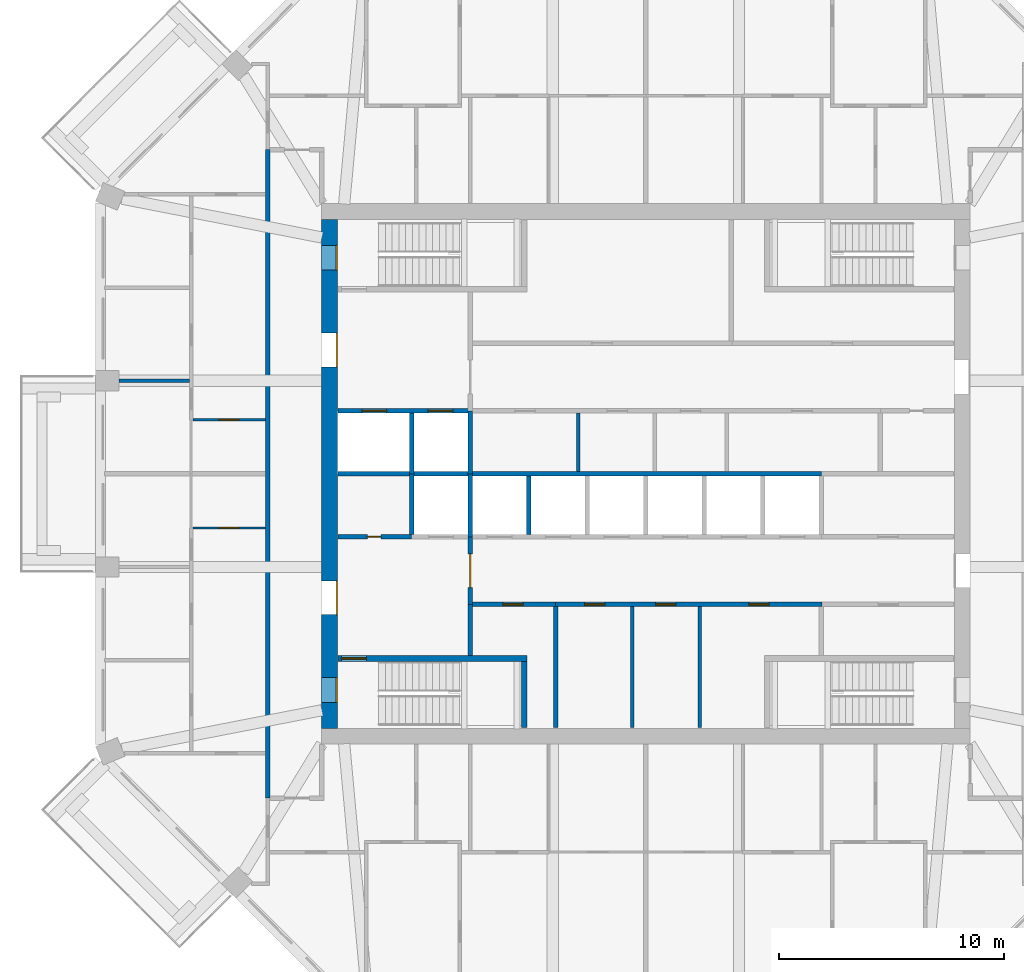
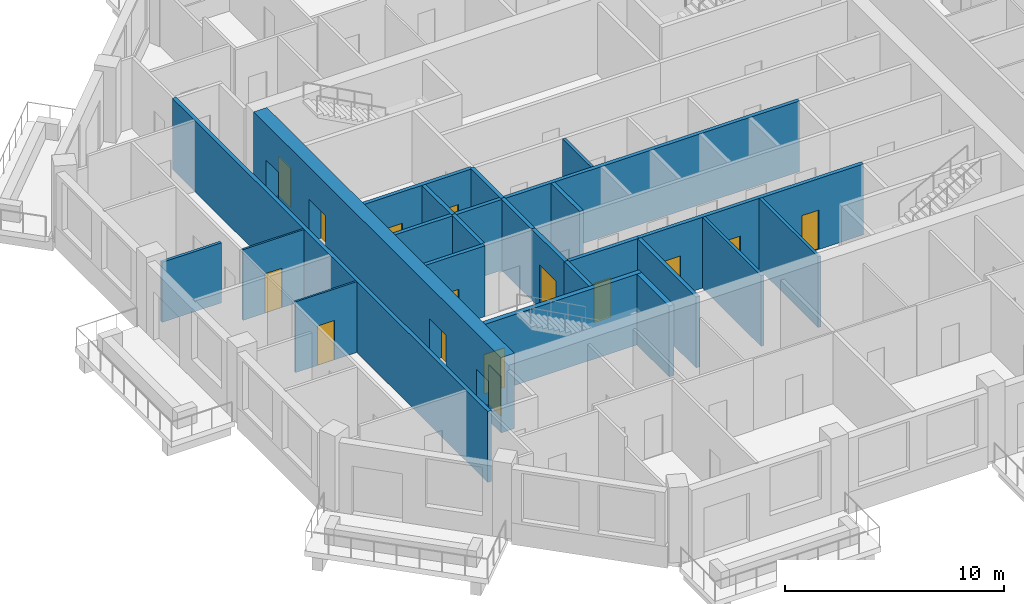
# One storey, part 4 of 12: 23 walls, 15 doors, 15 openings.
"""IFC4 building model written with IfcOpenShell, lengths in metres."""

from ifc_helpers import new_model, si_unit, direction, frame, frame_2d, origin, place, context, subcontext, project, spatial, rectangle, extrude, material, layer, layer_set, type_object, element, fill, save


model = new_model("IFC4")

# Units and contexts
model_context = context("Model", 3, precision=1e-05, world=origin(), true_north=direction((0.0, 1.0)))
body_context = subcontext(model_context, "Body", "Model", "MODEL_VIEW")
ifc_project = project(units=[si_unit("LENGTHUNIT", "METRE"), si_unit("AREAUNIT", "SQUARE_METRE"), si_unit("VOLUMEUNIT", "CUBIC_METRE"), si_unit("PLANEANGLEUNIT", "RADIAN"), si_unit("MASSUNIT", "GRAM", prefix="KILO")], contexts=[model_context])

# Site, building, storey
site_placement = place(None, origin())
site = spatial("IfcSite", under=ifc_project, at=site_placement, CompositionType="ELEMENT")
building_placement = place(site_placement, origin())
building = spatial("IfcBuilding", under=site, at=building_placement, Name="Msitu Wima Residences", CompositionType="ELEMENT")
storey_placement = place(building_placement, frame((0.0, 0.0, 174.89990234375)))
storey = spatial("IfcBuildingStorey", under=building, at=storey_placement, Name="L40", CompositionType="ELEMENT", Elevation=174.89990234375)

# Wall, openings, doors
ifc_material_1 = material(Name="Concrete C60/75", Category="concrete")
ifc_layer_1 = layer(ifc_material_1, 0.699951171875)
ifc_layer_set_1 = layer_set([ifc_layer_1], Name="Concrete C60/75")
wall_type_1 = type_object("IfcWallType", Name="Core wall CW700 C60/75", PredefinedType="SHEAR", material=ifc_layer_set_1)
wall_1_placement = place(storey_placement, frame((-14.050048828125, -11.300048828125, 0.0), z_axis=(0.0, 0.0, 1.0), x_axis=(0.0, 1.0, 0.0)))
wall_1 = element("IfcWall", 1, at=wall_1_placement, inside=storey, type_object=wall_type_1, Name="Core wall", PredefinedType="SHEAR", context=body_context, shape_type="SweptSolid", body=[
    extrude(rectangle(XDim=22.60009765625, YDim=0.699951171875, at=frame_2d((11.300048828125, 0.0))), origin(), (0.0, 0.0, 1.0), 4.2001953125),
])
opening_1_placement = place(wall_1_placement, frame((20.35009765625, 0.0, 0.0)))
opening_1 = element("IfcOpeningElement", 2, at=opening_1_placement, cuts=wall_1, Name="Opening D40-42.087", PredefinedType="OPENING", context=body_context, shape_type="SweptSolid", body=[
    extrude(rectangle(XDim=1.10009765625, YDim=2.199951171875, at=frame_2d((0.550048828125, 1.10009765625))), frame((0.0, 0.35986328125, 0.0), z_axis=(0.0, -1.0, 0.0), x_axis=(1.0, 0.0, 0.0)), (0.0, 0.0, 1.0), 0.719970703125),
])
opening_2_placement = place(wall_1_placement, frame((1.14990234375, 0.0, 0.0)))
opening_2 = element("IfcOpeningElement", 3, at=opening_2_placement, cuts=wall_1, Name="Opening D40-42.089", PredefinedType="OPENING", context=body_context, shape_type="SweptSolid", body=[
    extrude(rectangle(XDim=1.10009765625, YDim=2.199951171875, at=frame_2d((0.550048828125, 1.10009765625))), frame((0.0, 0.35986328125, 0.0), z_axis=(0.0, -1.0, 0.0), x_axis=(1.0, 0.0, 0.0)), (0.0, 0.0, 1.0), 0.719970703125),
])
opening_3_placement = place(wall_1_placement, frame((16.050048828125, 0.0, 0.0)))
opening_3 = element("IfcOpeningElement", 4, at=opening_3_placement, cuts=wall_1, Name="Opening D40-42.068", PredefinedType="OPENING", context=body_context, shape_type="SweptSolid", body=[
    extrude(rectangle(XDim=1.5, YDim=2.39990234375, at=frame_2d((0.75, 1.199951171875))), frame((0.0, 0.35986328125, 0.0), z_axis=(0.0, -1.0, 0.0), x_axis=(1.0, 0.0, 0.0)), (0.0, 0.0, 1.0), 0.719970703125),
])
opening_4_placement = place(wall_1_placement, frame((5.050048828125, 0.0, 0.0)))
opening_4 = element("IfcOpeningElement", 5, at=opening_4_placement, cuts=wall_1, Name="Opening D40-42.070", PredefinedType="OPENING", context=body_context, shape_type="SweptSolid", body=[
    extrude(rectangle(XDim=1.5, YDim=2.39990234375, at=frame_2d((0.75, 1.199951171875))), frame((0.0, 0.35986328125, 0.0), z_axis=(0.0, -1.0, 0.0), x_axis=(1.0, 0.0, 0.0)), (0.0, 0.0, 1.0), 0.719970703125),
])
ifc_material_2 = material(Name="Steel framed glazed door, fire resisting", Category="steel")
door_type_1 = type_object("IfcDoorType", Name="Lobby door D07 1500x2400", OperationType="DOUBLE_DOOR_SINGLE_SWING", PredefinedType="DOOR", material=ifc_material_2)
door_1_placement = place(opening_3_placement, origin())
door_1 = element("IfcDoor", 6, at=door_1_placement, inside=storey, type_object=door_type_1, Name="Lobby door", OperationType="DOUBLE_DOOR_SINGLE_SWING", OverallHeight=2.39990234375, OverallWidth=1.5, PredefinedType="DOOR", context=body_context, shape_type="SweptSolid", body=[
    extrude(rectangle(XDim=1.5, YDim=2.39990234375, at=frame_2d((0.75, 1.199951171875))), frame((0.0, -0.294921875, 0.0), z_axis=(0.0, -1.0, 0.0), x_axis=(1.0, 0.0, 0.0)), (0.0, 0.0, 1.0), 0.050048828125),
])
fill(opening_3, door_1)
door_2_placement = place(opening_4_placement, origin())
door_2 = element("IfcDoor", 7, at=door_2_placement, inside=storey, type_object=door_type_1, Name="Lobby door", OperationType="DOUBLE_DOOR_SINGLE_SWING", OverallHeight=2.39990234375, OverallWidth=1.5, PredefinedType="DOOR", context=body_context, shape_type="SweptSolid", body=[
    extrude(rectangle(XDim=1.5, YDim=2.39990234375, at=frame_2d((0.75, 1.199951171875))), frame((0.0, -0.294921875, 0.0), z_axis=(0.0, -1.0, 0.0), x_axis=(1.0, 0.0, 0.0)), (0.0, 0.0, 1.0), 0.050048828125),
])
fill(opening_4, door_2)
ifc_material_3 = material(Name="Steel door, fire resisting, panic bar", Category="steel")
door_type_2 = type_object("IfcDoorType", Name="Stair door D06 1100x2200", OperationType="SINGLE_SWING_LEFT", PredefinedType="DOOR", material=ifc_material_3)
door_3_placement = place(opening_1_placement, origin())
door_3 = element("IfcDoor", 8, at=door_3_placement, inside=storey, type_object=door_type_2, Name="Stair door", OperationType="SINGLE_SWING_RIGHT", OverallHeight=2.199951171875, OverallWidth=1.10009765625, PredefinedType="DOOR", context=body_context, shape_type="SweptSolid", body=[
    extrude(rectangle(XDim=1.10009765625, YDim=2.199951171875, at=frame_2d((0.550048828125, 1.10009765625))), frame((0.0, -0.294921875, 0.0), z_axis=(0.0, -1.0, 0.0), x_axis=(1.0, 0.0, 0.0)), (0.0, 0.0, 1.0), 0.050048828125),
])
fill(opening_1, door_3)
door_4_placement = place(opening_2_placement, origin())
door_4 = element("IfcDoor", 9, at=door_4_placement, inside=storey, type_object=door_type_2, Name="Stair door", OperationType="SINGLE_SWING_LEFT", OverallHeight=2.199951171875, OverallWidth=1.10009765625, PredefinedType="DOOR", context=body_context, shape_type="SweptSolid", body=[
    extrude(rectangle(XDim=1.10009765625, YDim=2.199951171875, at=frame_2d((0.550048828125, 1.10009765625))), frame((0.0, -0.294921875, 0.0), z_axis=(0.0, -1.0, 0.0), x_axis=(1.0, 0.0, 0.0)), (0.0, 0.0, 1.0), 0.050048828125),
])
fill(opening_2, door_4)

# Wall
ifc_material_4 = material(Name="Plaster")
ifc_layer_2 = layer(ifc_material_4, 0.011962890625, Name="Plaster")
ifc_material_5 = material(Name="Concrete blockwork", Category="masonry")
ifc_layer_3 = layer(ifc_material_5, 0.176025390625, Name="Concrete blockwork")
ifc_layer_4 = layer(ifc_material_4, 0.011962890625, Name="Plaster")
ifc_layer_set_2 = layer_set([ifc_layer_2, ifc_layer_3, ifc_layer_4], Name="Concrete blockwork")
wall_type_2 = type_object("IfcWallType", Name="Corridor wall FW200", PredefinedType="PARTITIONING", material=ifc_layer_set_2)
wall_2_placement = place(storey_placement, frame((-16.800048828125, -14.39990234375, 0.0), z_axis=(0.0, 0.0, 1.0), x_axis=(0.0, 1.0, 0.0)))
element("IfcWall", 10, at=wall_2_placement, inside=storey, type_object=wall_type_2, Name="Corridor wall", PredefinedType="PARTITIONING", context=body_context, shape_type="SweptSolid", body=[
    extrude(rectangle(XDim=28.7998046875, YDim=0.199951171875, at=frame_2d((14.39990234375, 0.0))), origin(), (0.0, 0.0, 1.0), 3.9501953125),
])

# Wall, opening, door
wall_3_placement = place(storey_placement, frame((-7.800048828125, -5.800048828125, 0.0), z_axis=(0.0, 0.0, 1.0), x_axis=(0.0, 1.0, 0.0)))
wall_3 = element("IfcWall", 11, at=wall_3_placement, inside=storey, type_object=wall_type_2, Name="Corridor wall", PredefinedType="PARTITIONING", context=body_context, shape_type="SweptSolid", body=[
    extrude(rectangle(XDim=3.0, YDim=0.199951171875, at=frame_2d((1.5, 0.0))), origin(), (0.0, 0.0, 1.0), 3.9501953125),
])
opening_5_placement = place(wall_3_placement, frame((0.75, 0.0, 0.0)))
opening_5 = element("IfcOpeningElement", 12, at=opening_5_placement, cuts=wall_3, Name="Opening D40-42.071", PredefinedType="OPENING", context=body_context, shape_type="SweptSolid", body=[
    extrude(rectangle(XDim=1.5, YDim=2.39990234375, at=frame_2d((0.75, 1.199951171875))), frame((0.0, 0.10986328125, 0.0), z_axis=(0.0, -1.0, 0.0), x_axis=(1.0, 0.0, 0.0)), (0.0, 0.0, 1.0), 0.219970703125),
])
door_5_placement = place(opening_5_placement, origin())
door_5 = element("IfcDoor", 13, at=door_5_placement, inside=storey, type_object=door_type_1, Name="Lobby door", OperationType="DOUBLE_DOOR_SINGLE_SWING", OverallHeight=2.39990234375, OverallWidth=1.5, PredefinedType="DOOR", context=body_context, shape_type="SweptSolid", body=[
    extrude(rectangle(XDim=1.5, YDim=2.39990234375, at=frame_2d((0.75, 1.199951171875))), frame((0.0, 0.02490234375, 0.0), z_axis=(0.0, -1.0, 0.0), x_axis=(1.0, 0.0, 0.0)), (0.0, 0.0, 1.0), 0.050048828125),
])
fill(opening_5, door_5)

# Wall, openings, doors
wall_4_placement = place(storey_placement, frame((-4.02001953125, -5.800048828125, 0.0), z_axis=(0.0, 0.0, 1.0), x_axis=(1.0, 0.0, 0.0)))
wall_4 = element("IfcWall", 14, at=wall_4_placement, inside=storey, type_object=wall_type_2, Name="Corridor wall", PredefinedType="PARTITIONING", context=body_context, shape_type="SweptSolid", body=[
    extrude(rectangle(XDim=11.840087890625, YDim=0.199951171875, at=frame_2d((5.919921875, 0.0))), origin(), (0.0, 0.0, 1.0), 3.9501953125),
])
opening_6_placement = place(wall_4_placement, frame((1.300048828125, 0.0, 0.0)))
opening_6 = element("IfcOpeningElement", 15, at=opening_6_placement, cuts=wall_4, Name="Opening D40-42.075", PredefinedType="OPENING", context=body_context, shape_type="SweptSolid", body=[
    extrude(rectangle(XDim=0.89990234375, YDim=2.199951171875, at=frame_2d((0.449951171875, 1.10009765625))), frame((0.0, 0.10986328125, 0.0), z_axis=(0.0, -1.0, 0.0), x_axis=(1.0, 0.0, 0.0)), (0.0, 0.0, 1.0), 0.219970703125),
])
opening_7_placement = place(wall_4_placement, frame((4.449951171875, 0.0, 0.0)))
opening_7 = element("IfcOpeningElement", 16, at=opening_7_placement, cuts=wall_4, Name="Opening D40-42.076", PredefinedType="OPENING", context=body_context, shape_type="SweptSolid", body=[
    extrude(rectangle(XDim=0.89990234375, YDim=2.199951171875, at=frame_2d((0.449951171875, 1.10009765625))), frame((0.0, 0.10986328125, 0.0), z_axis=(0.0, -1.0, 0.0), x_axis=(1.0, 0.0, 0.0)), (0.0, 0.0, 1.0), 0.219970703125),
])
opening_8_placement = place(wall_4_placement, frame((8.60009765625, 0.0, 0.0)))
opening_8 = element("IfcOpeningElement", 17, at=opening_8_placement, cuts=wall_4, Name="Opening D40-42.077", PredefinedType="OPENING", context=body_context, shape_type="SweptSolid", body=[
    extrude(rectangle(XDim=0.89990234375, YDim=2.199951171875, at=frame_2d((0.449951171875, 1.10009765625))), frame((0.0, 0.10986328125, 0.0), z_axis=(0.0, -1.0, 0.0), x_axis=(1.0, 0.0, 0.0)), (0.0, 0.0, 1.0), 0.219970703125),
])
ifc_material_6 = material(Name="Timber flush door", Category="wood")
door_type_3 = type_object("IfcDoorType", Name="Service door D05 900x2200", OperationType="SINGLE_SWING_LEFT", PredefinedType="DOOR", material=ifc_material_6)
door_6_placement = place(opening_6_placement, origin())
door_6 = element("IfcDoor", 18, at=door_6_placement, inside=storey, type_object=door_type_3, Name="Service door", OperationType="SINGLE_SWING_LEFT", OverallHeight=2.199951171875, OverallWidth=0.89990234375, PredefinedType="DOOR", context=body_context, shape_type="SweptSolid", body=[
    extrude(rectangle(XDim=0.89990234375, YDim=2.199951171875, at=frame_2d((0.449951171875, 1.10009765625))), frame((0.0, 0.02490234375, 0.0), z_axis=(0.0, -1.0, 0.0), x_axis=(1.0, 0.0, 0.0)), (0.0, 0.0, 1.0), 0.050048828125),
])
fill(opening_6, door_6)
door_7_placement = place(opening_7_placement, origin())
door_7 = element("IfcDoor", 19, at=door_7_placement, inside=storey, type_object=door_type_3, Name="Service door", OperationType="SINGLE_SWING_RIGHT", OverallHeight=2.199951171875, OverallWidth=0.89990234375, PredefinedType="DOOR", context=body_context, shape_type="SweptSolid", body=[
    extrude(rectangle(XDim=0.89990234375, YDim=2.199951171875, at=frame_2d((0.449951171875, 1.10009765625))), frame((0.0, 0.02490234375, 0.0), z_axis=(0.0, -1.0, 0.0), x_axis=(1.0, 0.0, 0.0)), (0.0, 0.0, 1.0), 0.050048828125),
])
fill(opening_7, door_7)
door_8_placement = place(opening_8_placement, origin())
door_8 = element("IfcDoor", 20, at=door_8_placement, inside=storey, type_object=door_type_3, Name="Service door", OperationType="SINGLE_SWING_RIGHT", OverallHeight=2.199951171875, OverallWidth=0.89990234375, PredefinedType="DOOR", context=body_context, shape_type="SweptSolid", body=[
    extrude(rectangle(XDim=0.89990234375, YDim=2.199951171875, at=frame_2d((0.449951171875, 1.10009765625))), frame((0.0, 0.02490234375, 0.0), z_axis=(0.0, -1.0, 0.0), x_axis=(1.0, 0.0, 0.0)), (0.0, 0.0, 1.0), 0.050048828125),
])
fill(opening_8, door_8)

# Walls
ifc_layer_5 = layer(ifc_material_4, 0.011962890625, Name="Plaster")
ifc_layer_6 = layer(ifc_material_5, 0.1259765625, Name="Concrete blockwork")
ifc_layer_7 = layer(ifc_material_4, 0.011962890625, Name="Plaster")
ifc_layer_set_3 = layer_set([ifc_layer_5, ifc_layer_6, ifc_layer_7], Name="Concrete blockwork")
wall_type_3 = type_object("IfcWallType", Name="Partition PW150", PredefinedType="PARTITIONING", material=ifc_layer_set_3)
wall_5_placement = place(storey_placement, frame((-23.39990234375, 4.13720703125, 0.0), z_axis=(0.0, 0.0, 1.0), x_axis=(1.0, 0.0, 0.0)))
element("IfcWall", 21, at=wall_5_placement, inside=storey, type_object=wall_type_3, Name="Partition", PredefinedType="PARTITIONING", context=body_context, shape_type="SweptSolid", body=[
    extrude(rectangle(XDim=3.125, YDim=0.14990234375, at=frame_2d((1.5625, 0.0))), origin(), (0.0, 0.0, 1.0), 3.35009765625),
])
wall_6_placement = place(storey_placement, frame((-3.0, 0.10009765625, 0.0), z_axis=(0.0, 0.0, 1.0), x_axis=(0.0, 1.0, 0.0)))
element("IfcWall", 22, at=wall_6_placement, inside=storey, type_object=wall_type_3, Name="Partition", PredefinedType="PARTITIONING", context=body_context, shape_type="SweptSolid", body=[
    extrude(rectangle(XDim=2.599853515625, YDim=0.14990234375, at=frame_2d((1.2998046875, 0.0))), origin(), (0.0, 0.0, 1.0), 3.9501953125),
])
for number, where, z_axis, x_axis, name in (
    (23, (-0.60009765625, -11.27001953125, 0.0), (0.0, 0.0, 1.0), (0.0, 1.0, 0.0), "Partition"),
    (24, (2.39990234375, -11.27001953125, 0.0), (0.0, 0.0, 1.0), (0.0, 1.0, 0.0), "Partition"),
):
    element("IfcWall", number, at=place(storey_placement, frame(where, z_axis=z_axis, x_axis=x_axis)), inside=storey, type_object=wall_type_3, Name=name, PredefinedType="PARTITIONING", context=body_context, shape_type="SweptSolid", body=[
        extrude(rectangle(XDim=5.3701171875, YDim=0.14990234375, at=frame_2d((2.68505859375, 0.0))), origin(), (0.0, 0.0, 1.0), 3.9501953125),
    ])

# Wall, opening, door
ifc_layer_8 = layer(ifc_material_4, 0.011962890625, Name="Plaster")
ifc_material_7 = material(Name="Reinforced concrete blockwork", Category="masonry")
ifc_layer_9 = layer(ifc_material_7, 0.176025390625, Name="Reinforced concrete blockwork")
ifc_layer_10 = layer(ifc_material_4, 0.011962890625, Name="Plaster")
ifc_layer_set_4 = layer_set([ifc_layer_8, ifc_layer_9, ifc_layer_10], Name="Reinforced concrete blockwork")
wall_type_4 = type_object("IfcWallType", Name="Plant and riser wall PL200", PredefinedType="PARTITIONING", material=ifc_layer_set_4)
wall_7_placement = place(storey_placement, frame((-13.669921875, -2.800048828125, 0.0), z_axis=(0.0, 0.0, 1.0), x_axis=(1.0, 0.0, 0.0)))
wall_7 = element("IfcWall", 25, at=wall_7_placement, inside=storey, type_object=wall_type_4, Name="Plant and riser wall", PredefinedType="PARTITIONING", context=body_context, shape_type="SweptSolid", body=[
    extrude(rectangle(XDim=3.27001953125, YDim=0.199951171875, at=frame_2d((1.635009765625, 0.0))), origin(), (0.0, 0.0, 1.0), 3.9501953125),
])
opening_9_placement = place(wall_7_placement, frame((1.300048828125, 0.0, 0.0)))
opening_9 = element("IfcOpeningElement", 26, at=opening_9_placement, cuts=wall_7, Name="Opening D40-42.086", PredefinedType="OPENING", context=body_context, shape_type="SweptSolid", body=[
    extrude(rectangle(XDim=0.60009765625, YDim=2.0, at=frame_2d((0.300048828125, 1.0))), frame((0.0, 0.10986328125, 0.0), z_axis=(0.0, -1.0, 0.0), x_axis=(1.0, 0.0, 0.0)), (0.0, 0.0, 1.0), 0.219970703125),
])
ifc_material_8 = material(Name="Steel access door, fire resisting", Category="steel")
door_type_4 = type_object("IfcDoorType", Name="Riser access door D08 600x2000", OperationType="SINGLE_SWING_LEFT", PredefinedType="DOOR", material=ifc_material_8)
door_9_placement = place(opening_9_placement, origin())
door_9 = element("IfcDoor", 27, at=door_9_placement, inside=storey, type_object=door_type_4, Name="Riser access door", OperationType="SINGLE_SWING_RIGHT", OverallHeight=2.0, OverallWidth=0.60009765625, PredefinedType="DOOR", context=body_context, shape_type="SweptSolid", body=[
    extrude(rectangle(XDim=0.60009765625, YDim=2.0, at=frame_2d((0.300048828125, 1.0))), frame((0.0, 0.02490234375, 0.0), z_axis=(0.0, -1.0, 0.0), x_axis=(1.0, 0.0, 0.0)), (0.0, 0.0, 1.0), 0.050048828125),
])
fill(opening_9, door_9)

# Wall
wall_8_placement = place(storey_placement, frame((-7.800048828125, -8.074951171875, 0.0), z_axis=(0.0, 0.0, 1.0), x_axis=(0.0, 1.0, 0.0)))
element("IfcWall", 28, at=wall_8_placement, inside=storey, type_object=wall_type_4, Name="Plant and riser wall", PredefinedType="PARTITIONING", context=body_context, shape_type="SweptSolid", body=[
    extrude(rectangle(XDim=2.27490234375, YDim=0.199951171875, at=frame_2d((1.137451171875, 0.0))), origin(), (0.0, 0.0, 1.0), 3.9501953125),
])

# Wall, opening, door
wall_9_placement = place(storey_placement, frame((-7.699951171875, -5.800048828125, 0.0), z_axis=(0.0, 0.0, 1.0), x_axis=(1.0, 0.0, 0.0)))
wall_9 = element("IfcWall", 29, at=wall_9_placement, inside=storey, type_object=wall_type_4, Name="Plant and riser wall", PredefinedType="PARTITIONING", context=body_context, shape_type="SweptSolid", body=[
    extrude(rectangle(XDim=3.679931640625, YDim=0.199951171875, at=frame_2d((1.83984375, 0.0))), origin(), (0.0, 0.0, 1.0), 3.9501953125),
])
opening_10_placement = place(wall_9_placement, frame((1.35009765625, 0.0, 0.0)))
opening_10 = element("IfcOpeningElement", 30, at=opening_10_placement, cuts=wall_9, Name="Opening D40-42.074", PredefinedType="OPENING", context=body_context, shape_type="SweptSolid", body=[
    extrude(rectangle(XDim=0.89990234375, YDim=2.199951171875, at=frame_2d((0.449951171875, 1.10009765625))), frame((0.0, 0.10986328125, 0.0), z_axis=(0.0, -1.0, 0.0), x_axis=(1.0, 0.0, 0.0)), (0.0, 0.0, 1.0), 0.219970703125),
])
door_10_placement = place(opening_10_placement, origin())
door_10 = element("IfcDoor", 31, at=door_10_placement, inside=storey, type_object=door_type_3, Name="Service door", OperationType="SINGLE_SWING_RIGHT", OverallHeight=2.199951171875, OverallWidth=0.89990234375, PredefinedType="DOOR", context=body_context, shape_type="SweptSolid", body=[
    extrude(rectangle(XDim=0.89990234375, YDim=2.199951171875, at=frame_2d((0.449951171875, 1.10009765625))), frame((0.0, 0.02490234375, 0.0), z_axis=(0.0, -1.0, 0.0), x_axis=(1.0, 0.0, 0.0)), (0.0, 0.0, 1.0), 0.050048828125),
])
fill(opening_10, door_10)

# Walls
wall_10_placement = place(storey_placement, frame((-4.0, -11.27001953125, 0.0), z_axis=(0.0, 0.0, 1.0), x_axis=(0.0, 1.0, 0.0)))
element("IfcWall", 32, at=wall_10_placement, inside=storey, type_object=wall_type_4, Name="Plant and riser wall", PredefinedType="PARTITIONING", context=body_context, shape_type="SweptSolid", body=[
    extrude(rectangle(XDim=5.3701171875, YDim=0.199951171875, at=frame_2d((2.68505859375, 0.0))), origin(), (0.0, 0.0, 1.0), 3.9501953125),
])
ifc_material_9 = material(Name="Fire-rated board")
ifc_layer_11 = layer(ifc_material_9, 0.02490234375, Name="Fire-rated board")
ifc_material_10 = material(Name="Light-gauge stud framing with mineral wool")
ifc_layer_12 = layer(ifc_material_10, 0.14990234375, Name="Light-gauge stud framing with mineral wool")
ifc_layer_13 = layer(ifc_material_9, 0.02490234375, Name="Fire-rated board")
ifc_layer_set_5 = layer_set([ifc_layer_11, ifc_layer_12, ifc_layer_13], Name="Light-gauge stud framing with mineral wool")
wall_type_5 = type_object("IfcWallType", Name="Shaft wall SH200", PredefinedType="PARTITIONING", material=ifc_layer_set_5)
wall_11_placement = place(storey_placement, frame((-13.669921875, 0.0, 0.0), z_axis=(0.0, 0.0, 1.0), x_axis=(1.0, 0.0, 0.0)))
element("IfcWall", 33, at=wall_11_placement, inside=storey, type_object=wall_type_5, Name="Shaft wall", PredefinedType="PARTITIONING", context=body_context, shape_type="SweptSolid", body=[
    extrude(rectangle(XDim=21.469970703125, YDim=0.199951171875, at=frame_2d((10.73486328125, 0.0))), origin(), (0.0, 0.0, 1.0), 3.9501953125),
])

# Wall, openings, doors
wall_12_placement = place(storey_placement, frame((-13.669921875, 2.800048828125, 0.0), z_axis=(0.0, 0.0, 1.0), x_axis=(1.0, 0.0, 0.0)))
wall_12 = element("IfcWall", 34, at=wall_12_placement, inside=storey, type_object=wall_type_5, Name="Shaft wall", PredefinedType="PARTITIONING", context=body_context, shape_type="SweptSolid", body=[
    extrude(rectangle(XDim=5.849853515625, YDim=0.199951171875, at=frame_2d((2.9248046875, 0.0))), origin(), (0.0, 0.0, 1.0), 3.9501953125),
])
opening_11_placement = place(wall_12_placement, frame((1.050048828125, 0.0, 0.0)))
opening_11 = element("IfcOpeningElement", 35, at=opening_11_placement, cuts=wall_12, Name="Opening LD", PredefinedType="OPENING", context=body_context, shape_type="SweptSolid", body=[
    extrude(rectangle(XDim=1.10009765625, YDim=2.199951171875, at=frame_2d((0.550048828125, 1.10009765625))), frame((0.0, 0.10986328125, 0.0), z_axis=(0.0, -1.0, 0.0), x_axis=(1.0, 0.0, 0.0)), (0.0, 0.0, 1.0), 0.219970703125),
])
opening_12_placement = place(wall_12_placement, frame((4.0, 0.0, 0.0)))
opening_12 = element("IfcOpeningElement", 36, at=opening_12_placement, cuts=wall_12, Name="Opening LD", PredefinedType="OPENING", context=body_context, shape_type="SweptSolid", body=[
    extrude(rectangle(XDim=1.10009765625, YDim=2.199951171875, at=frame_2d((0.550048828125, 1.10009765625))), frame((0.0, 0.10986328125, 0.0), z_axis=(0.0, -1.0, 0.0), x_axis=(1.0, 0.0, 0.0)), (0.0, 0.0, 1.0), 0.219970703125),
])
ifc_material_11 = material(Name="Stainless steel centre-opening landing door, rated", Category="steel")
door_type_5 = type_object("IfcDoorType", Name="Lift landing door LD 1100x2200", OperationType="DOUBLE_DOOR_SLIDING", PredefinedType="DOOR", material=ifc_material_11)
door_11_placement = place(opening_11_placement, origin())
door_11 = element("IfcDoor", 37, at=door_11_placement, inside=storey, type_object=door_type_5, Name="Lift landing door LD1", OperationType="DOUBLE_DOOR_SLIDING", OverallHeight=2.199951171875, OverallWidth=1.10009765625, PredefinedType="DOOR", context=body_context, shape_type="SweptSolid", body=[
    extrude(rectangle(XDim=1.10009765625, YDim=2.199951171875, at=frame_2d((0.550048828125, 1.10009765625))), frame((0.0, 0.02490234375, 0.0), z_axis=(0.0, -1.0, 0.0), x_axis=(1.0, 0.0, 0.0)), (0.0, 0.0, 1.0), 0.050048828125),
])
fill(opening_11, door_11)
door_12_placement = place(opening_12_placement, origin())
door_12 = element("IfcDoor", 38, at=door_12_placement, inside=storey, type_object=door_type_5, Name="Lift landing door LD2", OperationType="DOUBLE_DOOR_SLIDING", OverallHeight=2.199951171875, OverallWidth=1.10009765625, PredefinedType="DOOR", context=body_context, shape_type="SweptSolid", body=[
    extrude(rectangle(XDim=1.10009765625, YDim=2.199951171875, at=frame_2d((0.550048828125, 1.10009765625))), frame((0.0, 0.02490234375, 0.0), z_axis=(0.0, -1.0, 0.0), x_axis=(1.0, 0.0, 0.0)), (0.0, 0.0, 1.0), 0.050048828125),
])
fill(opening_12, door_12)

# Walls
for number, where, z_axis, x_axis, name in (
    (39, (-10.39990234375, -2.699951171875, 0.0), (0.0, 0.0, 1.0), (0.0, 1.0, 0.0), "Shaft wall"),
    (40, (-10.39990234375, 0.0, 0.0), (0.0, 0.0, 1.0), (0.0, 1.0, 0.0), "Shaft wall"),
):
    element("IfcWall", number, at=place(storey_placement, frame(where, z_axis=z_axis, x_axis=x_axis)), inside=storey, type_object=wall_type_5, Name=name, PredefinedType="PARTITIONING", context=body_context, shape_type="SweptSolid", body=[
        extrude(rectangle(XDim=2.699951171875, YDim=0.199951171875, at=frame_2d((1.35009765625, 0.0))), origin(), (0.0, 0.0, 1.0), 3.9501953125),
    ])
for number, where, z_axis, x_axis, name in (
    (41, (-7.800048828125, -2.800048828125, 0.0), (0.0, 0.0, 1.0), (0.0, 1.0, 0.0), "Shaft wall"),
    (42, (-7.800048828125, 0.0, 0.0), (0.0, 0.0, 1.0), (0.0, 1.0, 0.0), "Shaft wall"),
):
    element("IfcWall", number, at=place(storey_placement, frame(where, z_axis=z_axis, x_axis=x_axis)), inside=storey, type_object=wall_type_5, Name=name, PredefinedType="PARTITIONING", context=body_context, shape_type="SweptSolid", body=[
        extrude(rectangle(XDim=2.800048828125, YDim=0.199951171875, at=frame_2d((1.39990234375, 0.0))), origin(), (0.0, 0.0, 1.0), 3.9501953125),
    ])
wall_13_placement = place(storey_placement, frame((-5.199951171875, -2.699951171875, 0.0), z_axis=(0.0, 0.0, 1.0), x_axis=(0.0, 1.0, 0.0)))
element("IfcWall", 43, at=wall_13_placement, inside=storey, type_object=wall_type_5, Name="Shaft wall", PredefinedType="PARTITIONING", context=body_context, shape_type="SweptSolid", body=[
    extrude(rectangle(XDim=2.599853515625, YDim=0.199951171875, at=frame_2d((1.2998046875, 0.0))), origin(), (0.0, 0.0, 1.0), 3.9501953125),
])

# Wall, opening, door
ifc_material_12 = material(Name="Concrete C50/60", Category="concrete")
ifc_layer_14 = layer(ifc_material_12, 0.25)
ifc_layer_set_6 = layer_set([ifc_layer_14], Name="Concrete C50/60")
wall_type_6 = type_object("IfcWallType", Name="Stair enclosure wall SW250", PredefinedType="SHEAR", material=ifc_layer_set_6)
wall_14_placement = place(storey_placement, frame((-13.669921875, -8.199951171875, 0.0), z_axis=(0.0, 0.0, 1.0), x_axis=(1.0, 0.0, 0.0)))
wall_14 = element("IfcWall", 44, at=wall_14_placement, inside=storey, type_object=wall_type_6, Name="Stair enclosure wall", PredefinedType="SHEAR", context=body_context, shape_type="SweptSolid", body=[
    extrude(rectangle(XDim=8.39501953125, YDim=0.25, at=frame_2d((4.197509765625, 0.0))), origin(), (0.0, 0.0, 1.0), 3.9501953125),
])
opening_13_placement = place(wall_14_placement, frame((0.14990234375, 0.0, 0.0)))
opening_13 = element("IfcOpeningElement", 45, at=opening_13_placement, cuts=wall_14, Name="Opening D40-42.090", PredefinedType="OPENING", context=body_context, shape_type="SweptSolid", body=[
    extrude(rectangle(XDim=1.10009765625, YDim=2.199951171875, at=frame_2d((0.550048828125, 1.10009765625))), frame((0.0, 0.135009765625, 0.0), z_axis=(0.0, -1.0, 0.0), x_axis=(1.0, 0.0, 0.0)), (0.0, 0.0, 1.0), 0.27001953125),
])
door_13_placement = place(opening_13_placement, origin())
door_13 = element("IfcDoor", 46, at=door_13_placement, inside=storey, type_object=door_type_2, Name="Stair door", OperationType="SINGLE_SWING_RIGHT", OverallHeight=2.199951171875, OverallWidth=1.10009765625, PredefinedType="DOOR", context=body_context, shape_type="SweptSolid", body=[
    extrude(rectangle(XDim=1.10009765625, YDim=2.199951171875, at=frame_2d((0.550048828125, 1.10009765625))), frame((0.0, 0.02490234375, 0.0), z_axis=(0.0, -1.0, 0.0), x_axis=(1.0, 0.0, 0.0)), (0.0, 0.0, 1.0), 0.050048828125),
])
fill(opening_13, door_13)

# Wall
wall_15_placement = place(storey_placement, frame((-5.39990234375, -11.27001953125, 0.0), z_axis=(0.0, 0.0, 1.0), x_axis=(0.0, 1.0, 0.0)))
element("IfcWall", 47, at=wall_15_placement, inside=storey, type_object=wall_type_6, Name="Stair enclosure wall", PredefinedType="SHEAR", context=body_context, shape_type="SweptSolid", body=[
    extrude(rectangle(XDim=2.945068359375, YDim=0.25, at=frame_2d((1.47265625, 0.0))), origin(), (0.0, 0.0, 1.0), 3.9501953125),
])

# Wall, opening, door
ifc_material_13 = material(Name="Ceramic tiles")
ifc_layer_15 = layer(ifc_material_13, 0.008056640625, Name="Ceramic tiles")
ifc_material_14 = material(Name="Moisture-resistant board")
ifc_layer_16 = layer(ifc_material_14, 0.012451171875, Name="Moisture-resistant board")
ifc_layer_17 = layer(ifc_material_10, 0.06689453125, Name="Light-gauge stud framing with mineral wool")
ifc_layer_18 = layer(ifc_material_14, 0.012451171875, Name="Moisture-resistant board")
ifc_layer_set_7 = layer_set([ifc_layer_15, ifc_layer_16, ifc_layer_17, ifc_layer_18], Name="Light-gauge stud framing with mineral wool")
wall_type_7 = type_object("IfcWallType", Name="Wet wall PW100", PredefinedType="PARTITIONING", material=ifc_layer_set_7)
wall_16_placement = place(storey_placement, frame((-20.125, -2.39990234375, 0.0), z_axis=(0.0, 0.0, 1.0), x_axis=(1.0, 0.0, 0.0)))
wall_16 = element("IfcWall", 48, at=wall_16_placement, inside=storey, type_object=wall_type_7, Name="Wet wall", PredefinedType="PARTITIONING", context=body_context, shape_type="SweptSolid", body=[
    extrude(rectangle(XDim=3.22509765625, YDim=0.10009765625, at=frame_2d((1.612548828125, 0.0))), origin(), (0.0, 0.0, 1.0), 3.9501953125),
])
opening_14_placement = place(wall_16_placement, frame((1.14990234375, 0.0, 0.0)))
opening_14 = element("IfcOpeningElement", 49, at=opening_14_placement, cuts=wall_16, Name="Opening D40-42.043", PredefinedType="OPENING", context=body_context, shape_type="SweptSolid", body=[
    extrude(rectangle(XDim=0.89990234375, YDim=2.199951171875, at=frame_2d((0.449951171875, 1.10009765625))), frame((0.0, 0.06005859375, 0.0), z_axis=(0.0, -1.0, 0.0), x_axis=(1.0, 0.0, 0.0)), (0.0, 0.0, 1.0), 0.1201171875),
])
ifc_material_15 = material(Name="Timber flush door, moisture resistant", Category="wood")
door_type_6 = type_object("IfcDoorType", Name="Bathroom door D03 900x2200", OperationType="SINGLE_SWING_LEFT", PredefinedType="DOOR", material=ifc_material_15)
door_14_placement = place(opening_14_placement, origin())
door_14 = element("IfcDoor", 50, at=door_14_placement, inside=storey, type_object=door_type_6, Name="Bathroom door", OperationType="SINGLE_SWING_LEFT", OverallHeight=2.199951171875, OverallWidth=0.89990234375, PredefinedType="DOOR", context=body_context, shape_type="SweptSolid", body=[
    extrude(rectangle(XDim=0.89990234375, YDim=2.199951171875, at=frame_2d((0.449951171875, 1.10009765625))), frame((0.0, 0.02490234375, 0.0), z_axis=(0.0, -1.0, 0.0), x_axis=(1.0, 0.0, 0.0)), (0.0, 0.0, 1.0), 0.050048828125),
])
fill(opening_14, door_14)

wall_17_placement = place(storey_placement, frame((-20.125, 2.39990234375, 0.0), z_axis=(0.0, 0.0, 1.0), x_axis=(1.0, 0.0, 0.0)))
wall_17 = element("IfcWall", 51, at=wall_17_placement, inside=storey, type_object=wall_type_7, Name="Wet wall", PredefinedType="PARTITIONING", context=body_context, shape_type="SweptSolid", body=[
    extrude(rectangle(XDim=3.22509765625, YDim=0.10009765625, at=frame_2d((1.612548828125, 0.0))), origin(), (0.0, 0.0, 1.0), 3.9501953125),
])
opening_15_placement = place(wall_17_placement, frame((1.14990234375, 0.0, 0.0)))
opening_15 = element("IfcOpeningElement", 52, at=opening_15_placement, cuts=wall_17, Name="Opening D40-42.029", PredefinedType="OPENING", context=body_context, shape_type="SweptSolid", body=[
    extrude(rectangle(XDim=0.89990234375, YDim=2.199951171875, at=frame_2d((0.449951171875, 1.10009765625))), frame((0.0, 0.06005859375, 0.0), z_axis=(0.0, -1.0, 0.0), x_axis=(1.0, 0.0, 0.0)), (0.0, 0.0, 1.0), 0.1201171875),
])
door_15_placement = place(opening_15_placement, origin())
door_15 = element("IfcDoor", 53, at=door_15_placement, inside=storey, type_object=door_type_6, Name="Bathroom door", OperationType="SINGLE_SWING_RIGHT", OverallHeight=2.199951171875, OverallWidth=0.89990234375, PredefinedType="DOOR", context=body_context, shape_type="SweptSolid", body=[
    extrude(rectangle(XDim=0.89990234375, YDim=2.199951171875, at=frame_2d((0.449951171875, 1.10009765625))), frame((0.0, 0.02490234375, 0.0), z_axis=(0.0, -1.0, 0.0), x_axis=(1.0, 0.0, 0.0)), (0.0, 0.0, 1.0), 0.050048828125),
])
fill(opening_15, door_15)

save(model, "model.ifc")
